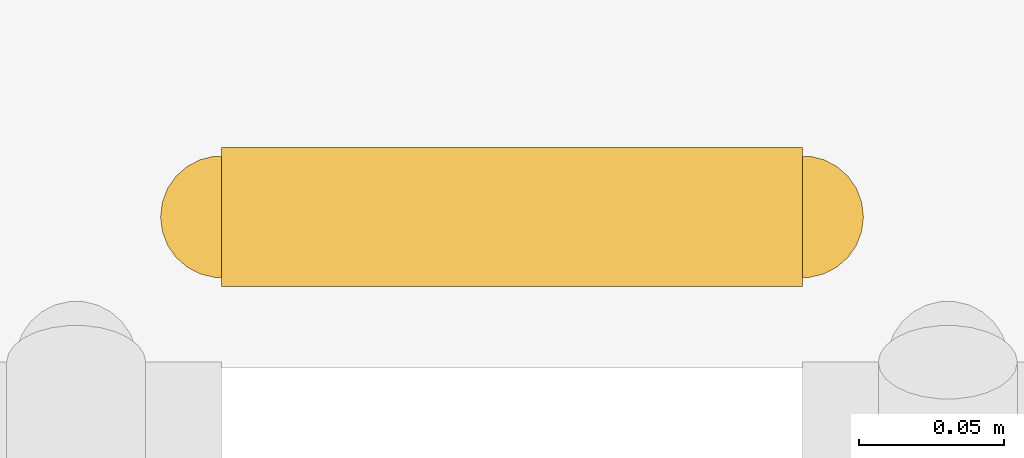
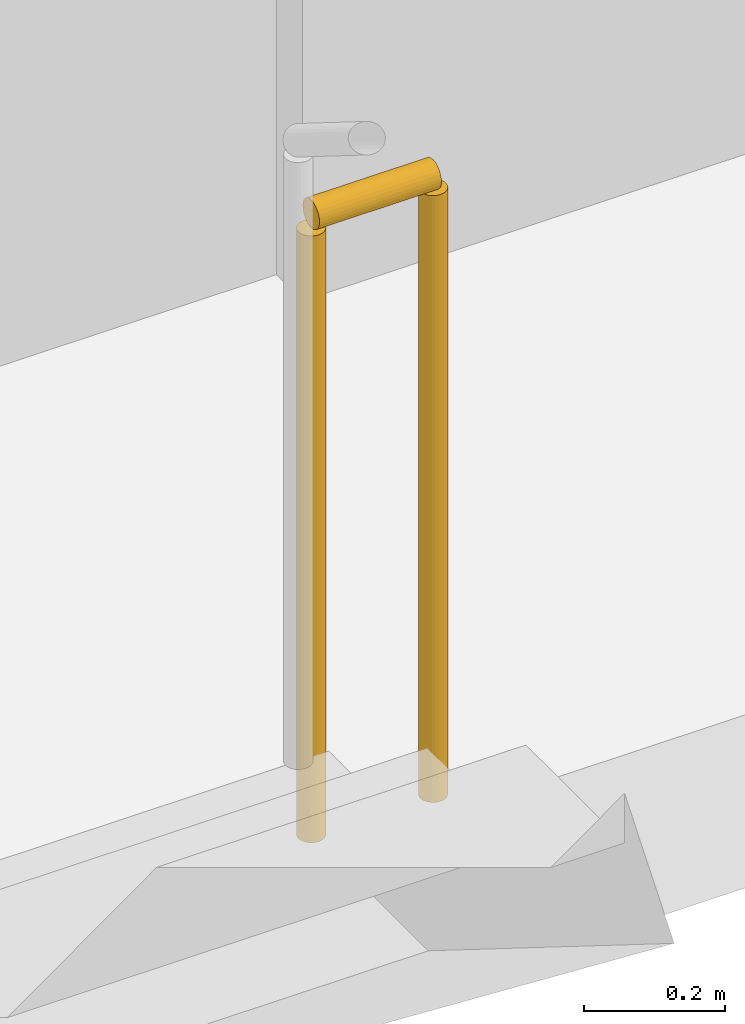
# One storey, part 21 of 21: 1 railing.
"""IFC4 building model written with IfcOpenShell, lengths in metres."""

import ifcopenshell
import ifcopenshell.guid

model = None  # the IFC model being written
_history = None  # IfcOwnerHistory: only IFC2X3 demands one
_inside = {}  # id of a spatial element -> (the spatial element, [elements in it])
_under = {}  # id of a project, library or spatial element -> (it, [spatial elements below it])
_declared = {}  # id of a project -> (the project, [libraries it declares])
_typed = {}  # id of a type object -> (the type object, [elements of that type])
_made_of = {}  # id of a material, layer set ... -> (it, [elements and type objects made of it])


def new_model(schema):
    """Start an empty IFC model of exactly this schema.

    Asked for "IFC4X3", IfcOpenShell would pick the latest addendum, in which some entities
    have other attributes; the version numbers below select the first issue.
    IFC2X3 requires an IfcOwnerHistory on every rooted entity: one is made here for all.
    """
    global model, _history
    if schema == "IFC4X3":
        model = ifcopenshell.file(schema_version=(4, 3, 0, 0))
    else:
        model = ifcopenshell.file(schema=schema)
    _inside.clear()
    _under.clear()
    _declared.clear()
    _typed.clear()
    _made_of.clear()
    _history = None
    if model.schema == "IFC2X3":
        org = make("IfcOrganization", Name="unknown")
        user = make(
            "IfcPersonAndOrganization",
            ThePerson=make("IfcPerson", FamilyName="unknown"),
            TheOrganization=org,
        )
        app = make(
            "IfcApplication",
            ApplicationDeveloper=org,
            Version="unknown",
            ApplicationFullName="unknown",
            ApplicationIdentifier="unknown",
        )
        _history = make(
            "IfcOwnerHistory",
            OwningUser=user,
            OwningApplication=app,
            ChangeAction="ADDED",
            CreationDate=0,
        )
    return model


def make(cls, **values):
    """One entity of the class cls with the attributes given. An attribute that is None is left unset."""
    return model.create_entity(
        cls, **{name: value for name, value in values.items() if value is not None}
    )


def rooted(cls, **values):
    """An entity with a GlobalId (a new one), such as an element, a storey or a relation."""
    return make(cls, GlobalId=ifcopenshell.guid.new(), OwnerHistory=_history, **values)


def si_unit(unit_type, name, prefix=None):
    """IfcSIUnit, for example si_unit("LENGTHUNIT", "METRE", prefix="MILLI")."""
    return make("IfcSIUnit", UnitType=unit_type, Prefix=prefix, Name=name)


def assignment(units):
    """IfcUnitAssignment: the units of a project."""
    return None if units is None else make("IfcUnitAssignment", Units=units)


def point(xyz):
    """IfcCartesianPoint."""
    return None if xyz is None else make("IfcCartesianPoint", Coordinates=xyz)


def direction(xyz):
    """IfcDirection."""
    return None if xyz is None else make("IfcDirection", DirectionRatios=xyz)


def frame(location, z_axis=None, x_axis=None):
    """IfcAxis2Placement3D, a coordinate frame: its origin and axes. An axis left out is left unset."""
    return make(
        "IfcAxis2Placement3D",
        Location=point(location),
        Axis=direction(z_axis),
        RefDirection=direction(x_axis),
    )


def frame_2d(location, x_axis=None):
    """IfcAxis2Placement2D, a coordinate frame in the plane: its origin and x axis."""
    return make(
        "IfcAxis2Placement2D", Location=point(location), RefDirection=direction(x_axis)
    )


def origin():
    """The frame at (0, 0, 0) with its axes left unset."""
    return frame((0.0, 0.0, 0.0))


def origin_2d():
    """The frame at (0, 0) in the plane with its x axis left unset."""
    return frame_2d((0.0, 0.0))


def place(relative_to, where):
    """IfcLocalPlacement: puts the frame where relative to a parent placement (None: the world)."""
    return make(
        "IfcLocalPlacement", PlacementRelTo=relative_to, RelativePlacement=where
    )


def context(
    kind, dimensions, precision=None, world=None, true_north=None, identifier=None
):
    """IfcGeometricRepresentationContext, for example the 3D "Model" context."""
    return make(
        "IfcGeometricRepresentationContext",
        ContextIdentifier=identifier,
        ContextType=kind,
        CoordinateSpaceDimension=dimensions,
        Precision=precision,
        WorldCoordinateSystem=world,
        TrueNorth=true_north,
    )


def subcontext(parent, identifier, kind, view, scale=None):
    """IfcGeometricRepresentationSubContext, for example "Body" below "Model"."""
    return make(
        "IfcGeometricRepresentationSubContext",
        ContextIdentifier=identifier,
        ContextType=kind,
        ParentContext=parent,
        TargetScale=scale,
        TargetView=view,
    )


def project(units=None, contexts=None):
    """IfcProject with its units and contexts."""
    return rooted(
        "IfcProject",
        Name="project",
        RepresentationContexts=contexts,
        UnitsInContext=assignment(units),
    )


def spatial(cls, under=None, at=None, **own):
    """A site, building, storey or space (cls), placed at a placement, below another one or the project."""
    s = rooted(cls, ObjectPlacement=at, **own)
    if under is not None:
        _under.setdefault(under.id(), (under, []))[1].append(s)
    return s


def profile(cls, at=None, kind="AREA", **sizes):
    """A parametric profile (cls). Its sizes go by their IFC names, for example OverallWidth=200.0."""
    return make(cls, ProfileType=kind, Position=at, **sizes)


def circle(**sizes):
    """IfcCircleProfileDef."""
    return profile("IfcCircleProfileDef", **sizes)


def extrude(swept, where, along, depth):
    """IfcExtrudedAreaSolid: the profile swept, set in the frame where, extruded along a direction by depth."""
    return make(
        "IfcExtrudedAreaSolid",
        SweptArea=swept,
        Position=where,
        ExtrudedDirection=direction(along),
        Depth=depth,
    )


def shape(context_of_items, identifier, shape_type, items):
    """IfcShapeRepresentation: the items that make up one representation, for example the "Body"."""
    return make(
        "IfcShapeRepresentation",
        ContextOfItems=context_of_items,
        RepresentationIdentifier=identifier,
        RepresentationType=shape_type,
        Items=items,
    )


def material(Name=None, Category=None):
    """IfcMaterial."""
    return make("IfcMaterial", Name=Name, Category=Category)


def made_of(thing, what):
    """Note that an element or type object is made of a material, layer set ...; save() writes the relation."""
    if what is not None:
        _made_of.setdefault(what.id(), (what, []))[1].append(thing)
    return thing


def type_object(cls, material=None, **own):
    """A type object (cls), such as IfcWallType, which elements share."""
    return made_of(rooted(cls, **own), material)


def element(
    cls,
    number,
    at=None,
    inside=None,
    cuts=None,
    type_object=None,
    material=None,
    context=None,
    identifier="Body",
    shape_type=None,
    held_by="IfcProductDefinitionShape",
    body=None,
    shapes=None,
    **own,
):
    """One element of the class cls, such as IfcWall. Its Tag is "e" and its number.

    at: its placement. inside: the storey or other place that contains it. cuts: it is an
    opening in that element (IfcRelVoidsElement). A single representation is given by context,
    identifier, shape_type and body (its items); several are given by shapes. held_by: the class
    of the entity that holds the representations. save() writes the other relations.
    """
    e = rooted(cls, Tag="e%d" % number, ObjectPlacement=at, **own)
    if body is not None:
        shapes = [shape(context, identifier, shape_type, body)]
    if shapes is not None:
        e.Representation = make(held_by, Representations=shapes)
    if inside is not None:
        _inside.setdefault(inside.id(), (inside, []))[1].append(e)
    if cuts is not None:
        rooted(
            "IfcRelVoidsElement", RelatingBuildingElement=cuts, RelatedOpeningElement=e
        )
    if type_object is not None:
        _typed.setdefault(type_object.id(), (type_object, []))[1].append(e)
    return made_of(e, material)


def aggregate(whole, parts):
    """IfcRelAggregates: a whole, such as a stair, and the parts it consists of."""
    return rooted("IfcRelAggregates", RelatingObject=whole, RelatedObjects=parts)


def save(model, path):
    """Write the relations noted so far, then the file.

    IfcRelAggregates (storeys below a building ...), IfcRelContainedInSpatialStructure (elements
    in a storey), IfcRelDefinesByType, IfcRelAssociatesMaterial and IfcRelDeclares: one each for
    every whole, place, type object, material and project.
    """
    for whole, parts in _under.values():
        aggregate(whole, parts)
    for where, things in _inside.values():
        rooted(
            "IfcRelContainedInSpatialStructure",
            RelatedElements=things,
            RelatingStructure=where,
        )
    for kind, things in _typed.values():
        rooted("IfcRelDefinesByType", RelatedObjects=things, RelatingType=kind)
    for what, things in _made_of.values():
        rooted("IfcRelAssociatesMaterial", RelatedObjects=things, RelatingMaterial=what)
    for by, libraries in _declared.values():
        rooted("IfcRelDeclares", RelatingContext=by, RelatedDefinitions=libraries)
    model.write(path)


model = new_model("IFC4")

# Units and contexts
model_context = context("Model", 3, precision=1e-05, world=origin(), true_north=direction((0.0, 1.0)))
body_context = subcontext(model_context, "Body", "Model", "MODEL_VIEW")
ifc_project = project(units=[si_unit("LENGTHUNIT", "METRE"), si_unit("AREAUNIT", "SQUARE_METRE"), si_unit("VOLUMEUNIT", "CUBIC_METRE"), si_unit("PLANEANGLEUNIT", "RADIAN"), si_unit("MASSUNIT", "GRAM", prefix="KILO")], contexts=[model_context])

# Site, building, storey
site_placement = place(None, origin())
site = spatial("IfcSite", under=ifc_project, at=site_placement, CompositionType="ELEMENT")
building_placement = place(site_placement, origin())
building = spatial("IfcBuilding", under=site, at=building_placement, Name="Kiln Ring Residences", CompositionType="ELEMENT")
storey_placement = place(building_placement, frame((0.0, 0.0, 100.800048828125)))
storey = spatial("IfcBuildingStorey", under=building, at=storey_placement, Name="L25", CompositionType="ELEMENT", Elevation=100.800048828125)

# Railing
ifc_material = material(Name="Stainless steel", Category="steel")
railing_type = type_object("IfcRailingType", Name="CORE-STAIR-GUARD", PredefinedType="GUARDRAIL", material=ifc_material)
railing_placement = place(storey_placement, frame((22.0, 8.449951171875, 0.0)))
element("IfcRailing", 1, at=railing_placement, inside=storey, type_object=railing_type, Name="L25 E-STN stair guard 4", PredefinedType="GUARDRAIL", context=body_context, shape_type="SweptSolid", body=[
    extrude(circle(Radius=0.02392578125, at=origin_2d()), frame((0.0, 0.0, 1.076171875), z_axis=(1.0, 0.0, 0.0), x_axis=(0.0, 1.0, 0.0)), (0.0, 0.0, 1.0), 0.199951171875),
    extrude(circle(Radius=0.02099609375, at=origin_2d()), origin(), (0.0, 0.0, 1.0), 1.052001953125),
    extrude(circle(Radius=0.02099609375, at=origin_2d()), frame((0.199951171875, 0.0, 0.0)), (0.0, 0.0, 1.0), 1.052001953125),
])

save(model, "model.ifc")
